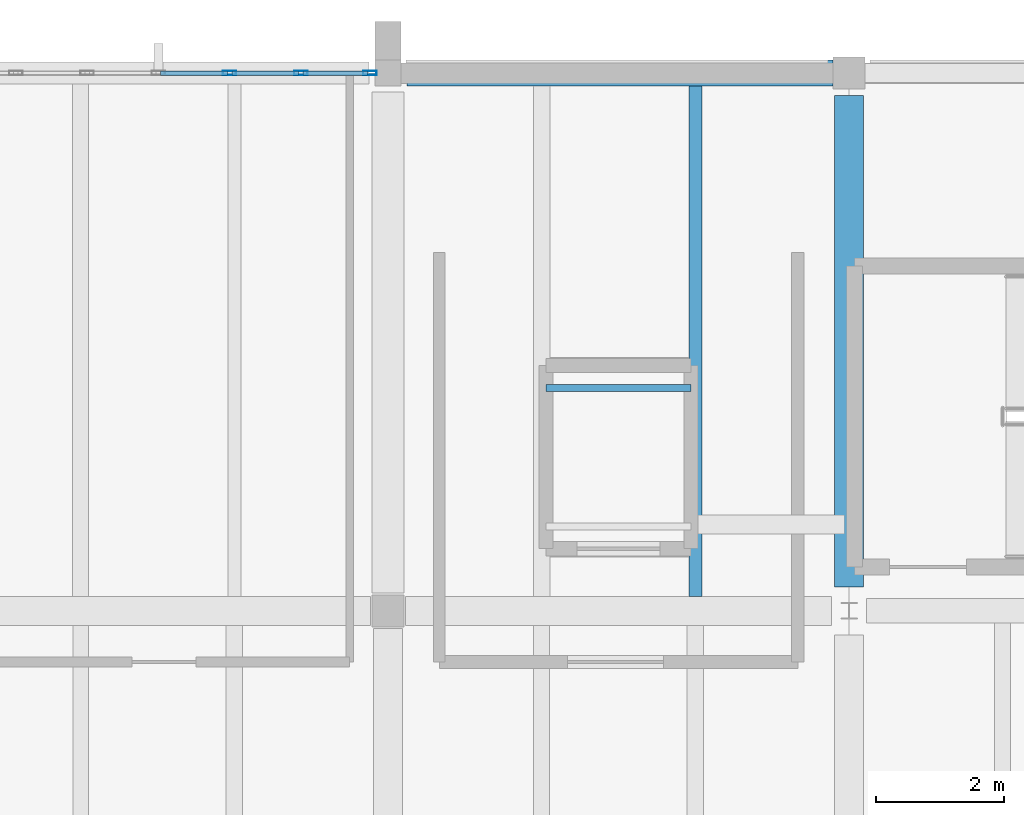
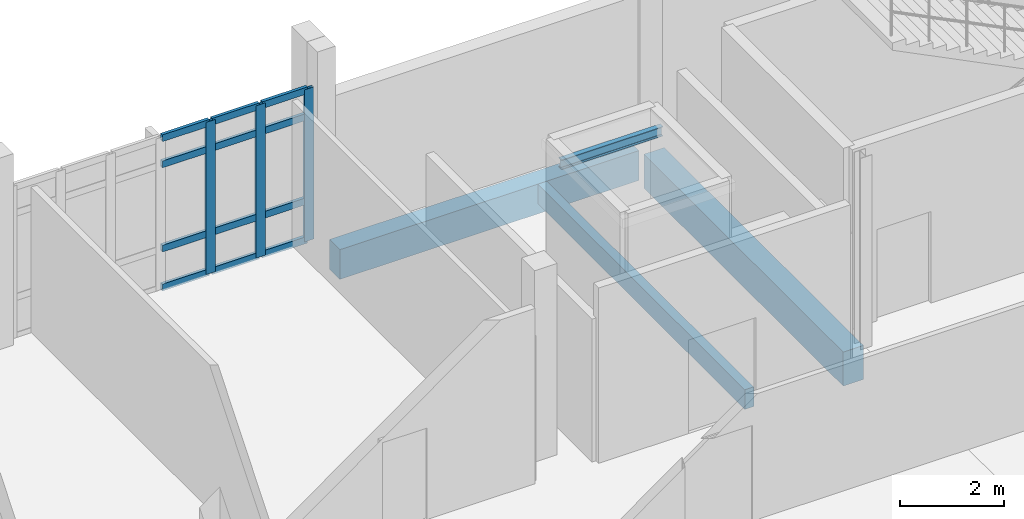
# One storey, part 15 of 34: 15 members, 4 beams, 1 element without a shape of its own.
"""IFC4 building model written with IfcOpenShell, lengths in metres."""

from ifc_helpers import new_model, si_unit, direction, frame, origin, origin_2d, place, context, subcontext, project, spatial, rectangle, hollow_rectangle, i_section, extrude, material, material_profile, profile_set, type_object, element, aggregate, save


model = new_model("IFC4")

# Units and contexts
model_context = context("Model", 3, precision=1e-05, world=origin(), true_north=direction((0.0, 1.0)))
body_context = subcontext(model_context, "Body", "Model", "MODEL_VIEW")
ifc_project = project(units=[si_unit("LENGTHUNIT", "METRE"), si_unit("AREAUNIT", "SQUARE_METRE"), si_unit("VOLUMEUNIT", "CUBIC_METRE"), si_unit("PLANEANGLEUNIT", "RADIAN"), si_unit("MASSUNIT", "GRAM", prefix="KILO")], contexts=[model_context])

# Site, building, storey
site_placement = place(None, origin())
site = spatial("IfcSite", under=ifc_project, at=site_placement, CompositionType="ELEMENT")
building_placement = place(site_placement, origin())
building = spatial("IfcBuilding", under=site, at=building_placement, Name="Kalluvel Institute of Natural Sciences", CompositionType="ELEMENT")
storey_placement = place(building_placement, frame((0.0, 0.0, 36.89990234375)))
storey = spatial("IfcBuildingStorey", under=building, at=storey_placement, Name="L08", CompositionType="ELEMENT", Elevation=36.89990234375)

# Beams
ifc_material_1 = material(Name="Steel E350 Grade 350", Category="steel")
ifc_material_profile_1 = material_profile(ifc_material_1, i_section(OverallWidth=0.110107421875, OverallDepth=0.22509765625, WebThickness=0.006591796875, FlangeThickness=0.01171875, FilletRadius=0.011962890625, at=origin_2d()), Name="ISMB 225")
ifc_profile_set_1 = profile_set([ifc_material_profile_1], Name="Steel E350 Grade 350")
beam_type_1 = type_object("IfcBeamType", Name="BM-ISMB225", PredefinedType="BEAM", material=ifc_profile_set_1)
beam_1_placement = place(storey_placement, frame((59.669921875, 123.080078125, 3.8076171875), z_axis=(1.0, 0.0, 0.0), x_axis=(0.0, 1.0, 0.0)))
element("IfcBeam", 1, at=beam_1_placement, inside=storey, type_object=beam_type_1, Name="LF3 overrun cap support beam N", PredefinedType="BEAM", context=body_context, shape_type="SweptSolid", body=[
    extrude(i_section(OverallWidth=0.110107421875, OverallDepth=0.22509765625, WebThickness=0.006591796875, FlangeThickness=0.01171875, FilletRadius=0.011962890625, at=origin_2d()), origin(), (0.0, 0.0, 1.0), 2.260009765625),
])
ifc_material_2 = material(Name="Concrete M40", Category="concrete")
ifc_material_profile_2 = material_profile(ifc_material_2, rectangle(XDim=0.449951171875, YDim=0.800048828125, at=origin_2d()), Name="RCB 450x800")
ifc_profile_set_2 = profile_set([ifc_material_profile_2], Name="Concrete M40")
beam_type_2 = type_object("IfcBeamType", Name="BM-RC450x800", PredefinedType="BEAM", material=ifc_profile_set_2)
beam_2_placement = place(storey_placement, frame((64.39990234375, 119.97509765625, -0.719970703125), z_axis=(0.0, 1.0, 0.0), x_axis=(-1.0, 0.0, 0.0)))
element("IfcBeam", 2, at=beam_2_placement, inside=storey, type_object=beam_type_2, Name="L08 girder GIR-L08-NS-X644-Y1196", PredefinedType="BEAM", context=body_context, shape_type="SweptSolid", body=[
    extrude(rectangle(XDim=0.449951171875, YDim=0.800048828125, at=origin_2d()), origin(), (0.0, 0.0, 1.0), 7.6748046875),
])

# Curtain wall, members
ifc_material_3 = material(Name="Aluminium AW-6063 T6", Category="aluminium")
curtain_wall_type = type_object("IfcCurtainWallType", Name="CW-WET-45", PredefinedType="USERDEFINED", material=ifc_material_3)
curtain_wall_placement = place(storey_placement, origin())
curtain_wall = element("IfcCurtainWall", 3, at=curtain_wall_placement, inside=storey, type_object=curtain_wall_type, Name="L08 Gothic lancet curtain wall CWA-L08-X503-Y1280", ObjectType="UNITISED LANCET FACADE", PredefinedType="USERDEFINED")
ifc_material_profile_3 = material_profile(ifc_material_3, hollow_rectangle(XDim=0.070068359375, YDim=0.2099609375, WallThickness=0.0048828125, at=origin_2d()), Name="CWM 70x210")
ifc_profile_set_3 = profile_set([ifc_material_profile_3], Name="Aluminium AW-6063 T6")
member_type_1 = type_object("IfcMemberType", Name="CWM-70x210", PredefinedType="MULLION", material=ifc_profile_set_3)
member_1_placement = place(storey_placement, frame((54.72509765625, 128.0, 0.0), z_axis=(0.0, 0.0, 1.0), x_axis=(0.0, 1.0, 0.0)))
member_1 = element("IfcMember", 4, at=member_1_placement, type_object=member_type_1, Name="CW-01 mullion 5", PredefinedType="MULLION", context=body_context, shape_type="SweptSolid", body=[
    extrude(hollow_rectangle(XDim=0.070068359375, YDim=0.2099609375, WallThickness=0.0048828125, at=origin_2d()), origin(), (0.0, 0.0, 1.0), 3.580078125),
])
member_2_placement = place(storey_placement, frame((55.83740234375, 128.0, 0.0), z_axis=(0.0, 0.0, 1.0), x_axis=(0.0, 1.0, 0.0)))
member_2 = element("IfcMember", 5, at=member_2_placement, type_object=member_type_1, Name="CW-01 mullion 6", PredefinedType="MULLION", context=body_context, shape_type="SweptSolid", body=[
    extrude(hollow_rectangle(XDim=0.070068359375, YDim=0.2099609375, WallThickness=0.0048828125, at=origin_2d()), origin(), (0.0, 0.0, 1.0), 3.580078125),
])
member_3_placement = place(storey_placement, frame((56.9150390625, 128.0, 0.0), z_axis=(0.0, 0.0, 1.0), x_axis=(0.0, 1.0, 0.0)))
member_3 = element("IfcMember", 6, at=member_3_placement, type_object=member_type_1, Name="CW-01 mullion 7", PredefinedType="MULLION", context=body_context, shape_type="SweptSolid", body=[
    extrude(hollow_rectangle(XDim=0.070068359375, YDim=0.2099609375, WallThickness=0.0048828125, at=origin_2d()), origin(), (0.0, 0.0, 1.0), 3.580078125),
])
ifc_material_profile_4 = material_profile(ifc_material_3, hollow_rectangle(XDim=0.070068359375, YDim=0.159912109375, WallThickness=0.0048828125, at=origin_2d()), Name="CWT 70x160")
ifc_profile_set_4 = profile_set([ifc_material_profile_4], Name="Aluminium AW-6063 T6")
member_type_2 = type_object("IfcMemberType", Name="CWT-70x160", PredefinedType="USERDEFINED", material=ifc_profile_set_4)
member_4_placement = place(storey_placement, frame((53.6474609375, 128.0, 0.03515625), z_axis=(1.0, 0.0, 0.0), x_axis=(0.0, 1.0, 0.0)))
member_4 = element("IfcMember", 7, at=member_4_placement, type_object=member_type_2, Name="CW-01 transom 4.1", ObjectType="TRANSOM", PredefinedType="USERDEFINED", context=body_context, shape_type="SweptSolid", body=[
    extrude(hollow_rectangle(XDim=0.070068359375, YDim=0.159912109375, WallThickness=0.0048828125, at=origin_2d()), origin(), (0.0, 0.0, 1.0), 1.04248046875),
])
member_5_placement = place(storey_placement, frame((53.6474609375, 128.0, 0.9501953125), z_axis=(1.0, 0.0, 0.0), x_axis=(0.0, 1.0, 0.0)))
member_5 = element("IfcMember", 8, at=member_5_placement, type_object=member_type_2, Name="CW-01 transom 4.2", ObjectType="TRANSOM", PredefinedType="USERDEFINED", context=body_context, shape_type="SweptSolid", body=[
    extrude(hollow_rectangle(XDim=0.070068359375, YDim=0.159912109375, WallThickness=0.0048828125, at=origin_2d()), origin(), (0.0, 0.0, 1.0), 1.04248046875),
])
member_6_placement = place(storey_placement, frame((53.6474609375, 128.0, 2.93017578125), z_axis=(1.0, 0.0, 0.0), x_axis=(0.0, 1.0, 0.0)))
member_6 = element("IfcMember", 9, at=member_6_placement, type_object=member_type_2, Name="CW-01 transom 4.3", ObjectType="TRANSOM", PredefinedType="USERDEFINED", context=body_context, shape_type="SweptSolid", body=[
    extrude(hollow_rectangle(XDim=0.070068359375, YDim=0.159912109375, WallThickness=0.0048828125, at=origin_2d()), origin(), (0.0, 0.0, 1.0), 1.04248046875),
])
member_7_placement = place(storey_placement, frame((53.6474609375, 128.0, 3.545166015625), z_axis=(1.0, 0.0, 0.0), x_axis=(0.0, 1.0, 0.0)))
member_7 = element("IfcMember", 10, at=member_7_placement, type_object=member_type_2, Name="CW-01 transom 4.4", ObjectType="TRANSOM", PredefinedType="USERDEFINED", context=body_context, shape_type="SweptSolid", body=[
    extrude(hollow_rectangle(XDim=0.070068359375, YDim=0.159912109375, WallThickness=0.0048828125, at=origin_2d()), origin(), (0.0, 0.0, 1.0), 1.04248046875),
])
member_8_placement = place(storey_placement, frame((54.760009765625, 128.0, 0.03515625), z_axis=(1.0, 0.0, 0.0), x_axis=(0.0, 1.0, 0.0)))
member_8 = element("IfcMember", 11, at=member_8_placement, type_object=member_type_2, Name="CW-01 transom 5.1", ObjectType="TRANSOM", PredefinedType="USERDEFINED", context=body_context, shape_type="SweptSolid", body=[
    extrude(hollow_rectangle(XDim=0.070068359375, YDim=0.159912109375, WallThickness=0.0048828125, at=origin_2d()), origin(), (0.0, 0.0, 1.0), 1.04248046875),
])
member_9_placement = place(storey_placement, frame((54.760009765625, 128.0, 0.9501953125), z_axis=(1.0, 0.0, 0.0), x_axis=(0.0, 1.0, 0.0)))
member_9 = element("IfcMember", 12, at=member_9_placement, type_object=member_type_2, Name="CW-01 transom 5.2", ObjectType="TRANSOM", PredefinedType="USERDEFINED", context=body_context, shape_type="SweptSolid", body=[
    extrude(hollow_rectangle(XDim=0.070068359375, YDim=0.159912109375, WallThickness=0.0048828125, at=origin_2d()), origin(), (0.0, 0.0, 1.0), 1.04248046875),
])
member_10_placement = place(storey_placement, frame((54.760009765625, 128.0, 2.93017578125), z_axis=(1.0, 0.0, 0.0), x_axis=(0.0, 1.0, 0.0)))
member_10 = element("IfcMember", 13, at=member_10_placement, type_object=member_type_2, Name="CW-01 transom 5.3", ObjectType="TRANSOM", PredefinedType="USERDEFINED", context=body_context, shape_type="SweptSolid", body=[
    extrude(hollow_rectangle(XDim=0.070068359375, YDim=0.159912109375, WallThickness=0.0048828125, at=origin_2d()), origin(), (0.0, 0.0, 1.0), 1.04248046875),
])
member_11_placement = place(storey_placement, frame((54.760009765625, 128.0, 3.545166015625), z_axis=(1.0, 0.0, 0.0), x_axis=(0.0, 1.0, 0.0)))
member_11 = element("IfcMember", 14, at=member_11_placement, type_object=member_type_2, Name="CW-01 transom 5.4", ObjectType="TRANSOM", PredefinedType="USERDEFINED", context=body_context, shape_type="SweptSolid", body=[
    extrude(hollow_rectangle(XDim=0.070068359375, YDim=0.159912109375, WallThickness=0.0048828125, at=origin_2d()), origin(), (0.0, 0.0, 1.0), 1.04248046875),
])
member_12_placement = place(storey_placement, frame((55.87255859375, 128.0, 0.03515625), z_axis=(1.0, 0.0, 0.0), x_axis=(0.0, 1.0, 0.0)))
member_12 = element("IfcMember", 15, at=member_12_placement, type_object=member_type_2, Name="CW-01 transom 6.1", ObjectType="TRANSOM", PredefinedType="USERDEFINED", context=body_context, shape_type="SweptSolid", body=[
    extrude(hollow_rectangle(XDim=0.070068359375, YDim=0.159912109375, WallThickness=0.0048828125, at=origin_2d()), origin(), (0.0, 0.0, 1.0), 1.00732421875),
])
member_13_placement = place(storey_placement, frame((55.87255859375, 128.0, 0.9501953125), z_axis=(1.0, 0.0, 0.0), x_axis=(0.0, 1.0, 0.0)))
member_13 = element("IfcMember", 16, at=member_13_placement, type_object=member_type_2, Name="CW-01 transom 6.2", ObjectType="TRANSOM", PredefinedType="USERDEFINED", context=body_context, shape_type="SweptSolid", body=[
    extrude(hollow_rectangle(XDim=0.070068359375, YDim=0.159912109375, WallThickness=0.0048828125, at=origin_2d()), origin(), (0.0, 0.0, 1.0), 1.00732421875),
])
member_14_placement = place(storey_placement, frame((55.87255859375, 128.0, 2.93017578125), z_axis=(1.0, 0.0, 0.0), x_axis=(0.0, 1.0, 0.0)))
member_14 = element("IfcMember", 17, at=member_14_placement, type_object=member_type_2, Name="CW-01 transom 6.3", ObjectType="TRANSOM", PredefinedType="USERDEFINED", context=body_context, shape_type="SweptSolid", body=[
    extrude(hollow_rectangle(XDim=0.070068359375, YDim=0.159912109375, WallThickness=0.0048828125, at=origin_2d()), origin(), (0.0, 0.0, 1.0), 1.00732421875),
])
member_15_placement = place(storey_placement, frame((55.87255859375, 128.0, 3.545166015625), z_axis=(1.0, 0.0, 0.0), x_axis=(0.0, 1.0, 0.0)))
member_15 = element("IfcMember", 18, at=member_15_placement, type_object=member_type_2, Name="CW-01 transom 6.4", ObjectType="TRANSOM", PredefinedType="USERDEFINED", context=body_context, shape_type="SweptSolid", body=[
    extrude(hollow_rectangle(XDim=0.070068359375, YDim=0.159912109375, WallThickness=0.0048828125, at=origin_2d()), origin(), (0.0, 0.0, 1.0), 1.00732421875),
])
aggregate(curtain_wall, [member_1, member_2, member_3, member_4, member_5, member_6, member_7, member_8, member_9, member_10, member_11, member_12, member_13, member_14, member_15])

# Beams
ifc_material_profile_5 = material_profile(ifc_material_2, rectangle(XDim=0.39990234375, YDim=0.699951171875, at=origin_2d()), Name="RCB 400x700")
ifc_profile_set_5 = profile_set([ifc_material_profile_5], Name="Concrete M40")
beam_type_3 = type_object("IfcBeamType", Name="SP-RC400x700", PredefinedType="SPANDREL", material=ifc_profile_set_5)
beam_3_placement = place(storey_placement, frame((57.5, 128.0, -0.669921875), z_axis=(1.0, 0.0, 0.0), x_axis=(0.0, 1.0, 0.0)))
element("IfcBeam", 19, at=beam_3_placement, inside=storey, type_object=beam_type_3, Name="L08 girder GIR-L08-EW-X572-Y1280", PredefinedType="SPANDREL", context=body_context, shape_type="SweptSolid", body=[
    extrude(rectangle(XDim=0.39990234375, YDim=0.699951171875, at=origin_2d()), origin(), (0.0, 0.0, 1.0), 6.64990234375),
])
ifc_material_profile_6 = material_profile(ifc_material_2, rectangle(XDim=0.199951171875, YDim=0.4599609375, at=origin_2d()), Name="WAF 200x460")
ifc_profile_set_6 = profile_set([ifc_material_profile_6], Name="Concrete M40")
beam_type_4 = type_object("IfcBeamType", Name="WJ-200x460", PredefinedType="JOIST", material=ifc_profile_set_6)
beam_4_placement = place(storey_placement, frame((62.0, 119.824951171875, -0.5498046875), z_axis=(0.0, 1.0, 0.0), x_axis=(-1.0, 0.0, 0.0)))
element("IfcBeam", 20, at=beam_4_placement, inside=storey, type_object=beam_type_4, Name="L08 waffle joist RIB-L08-0612", PredefinedType="JOIST", context=body_context, shape_type="SweptSolid", body=[
    extrude(rectangle(XDim=0.199951171875, YDim=0.4599609375, at=origin_2d()), origin(), (0.0, 0.0, 1.0), 7.97509765625),
])

save(model, "model.ifc")
